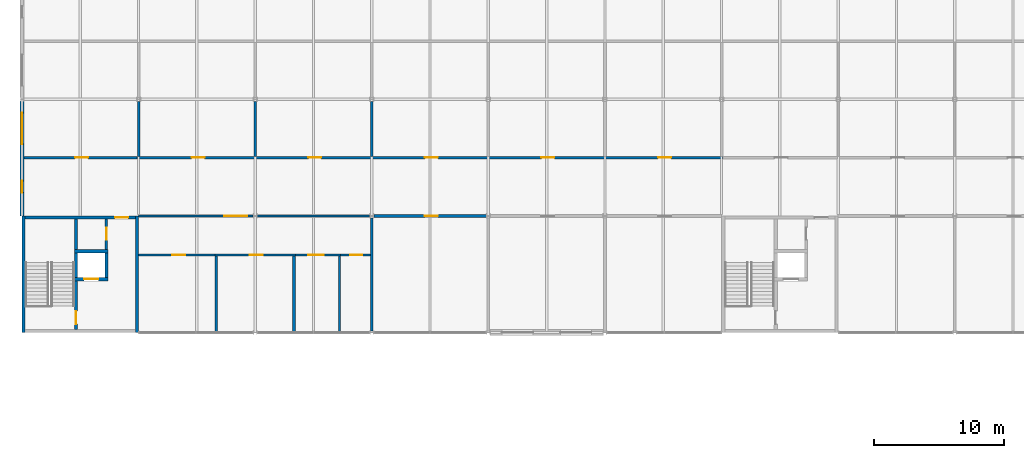
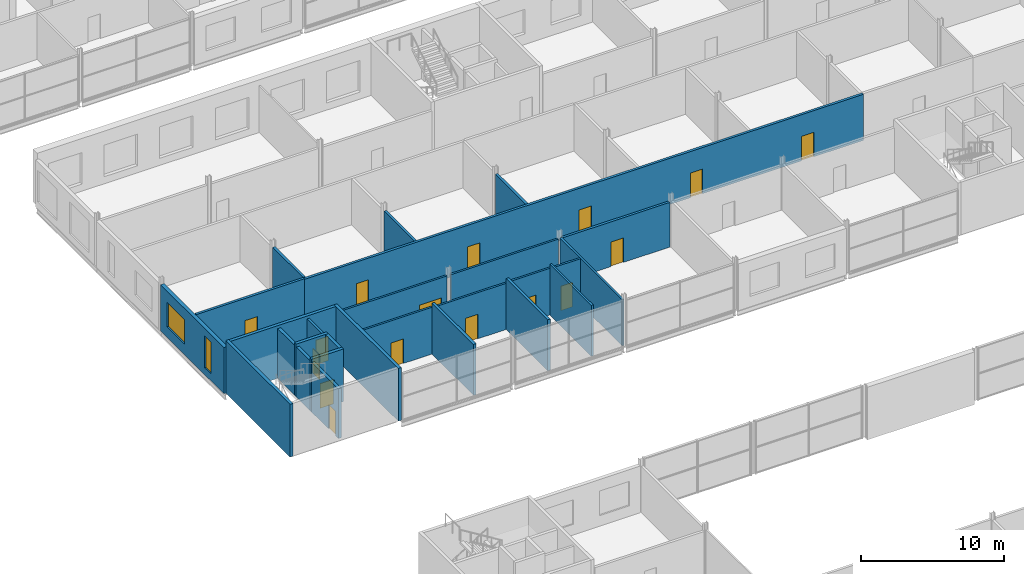
# One storey, part 67 of 97: 25 walls, 16 doors, 2 windows, 18 openings.
"""IFC4 building model written with IfcOpenShell, lengths in metres."""

from ifc_helpers import new_model, si_unit, direction, frame, frame_2d, origin, place, context, subcontext, project, spatial, rectangle, extrude, material, layer, layer_set, type_object, element, fill, save


model = new_model("IFC4")

# Units and contexts
model_context = context("Model", 3, precision=1e-05, world=origin(), true_north=direction((0.0, 1.0)))
body_context = subcontext(model_context, "Body", "Model", "MODEL_VIEW")
ifc_project = project(units=[si_unit("LENGTHUNIT", "METRE"), si_unit("AREAUNIT", "SQUARE_METRE"), si_unit("VOLUMEUNIT", "CUBIC_METRE"), si_unit("PLANEANGLEUNIT", "RADIAN"), si_unit("MASSUNIT", "GRAM", prefix="KILO")], contexts=[model_context])

# Site, building, storey
site_placement = place(None, origin())
site = spatial("IfcSite", under=ifc_project, at=site_placement, CompositionType="ELEMENT")
building_placement = place(site_placement, origin())
building = spatial("IfcBuilding", under=site, at=building_placement, Name="Corbel Yard City Hall", CompositionType="ELEMENT")
storey_placement = place(building_placement, frame((0.0, 0.0, 6.0)))
storey = spatial("IfcBuildingStorey", under=building, at=storey_placement, Name="L01", CompositionType="ELEMENT", Elevation=6.0)

# Walls
ifc_material_1 = material(Name="Concrete N50 (50 MPa)", Category="concrete")
ifc_layer_1 = layer(ifc_material_1, 0.25)
ifc_layer_set_1 = layer_set([ifc_layer_1], Name="Concrete N50 (50 MPa)")
wall_type_1 = type_object("IfcWallType", Name="Core cell wall 250", PredefinedType="SHEAR", material=ifc_layer_set_1)
for number, where, z_axis, x_axis, name in (
    (1, (0.125, 45.0, 0.0), (0.0, 0.0, 1.0), (0.0, 1.0, 0.0), "Core PC-M1 west wall"),
    (2, (8.875, 45.0, 0.0), (0.0, 0.0, 1.0), (0.0, 1.0, 0.0), "Core PC-M1 east wall"),
):
    element("IfcWall", number, at=place(storey_placement, frame(where, z_axis=z_axis, x_axis=x_axis)), inside=storey, type_object=wall_type_1, Name=name, PredefinedType="SHEAR", context=body_context, shape_type="SweptSolid", body=[
        extrude(rectangle(XDim=9.0, YDim=0.25, at=frame_2d((4.5, 0.0))), origin(), (0.0, 0.0, 1.0), 4.5),
    ])

# Wall, opening, door
wall_1_placement = place(storey_placement, frame((0.25, 53.875, 0.0), z_axis=(0.0, 0.0, 1.0), x_axis=(1.0, 0.0, 0.0)))
wall_1 = element("IfcWall", 3, at=wall_1_placement, inside=storey, type_object=wall_type_1, Name="Core PC-M1 north wall", PredefinedType="SHEAR", context=body_context, shape_type="SweptSolid", body=[
    extrude(rectangle(XDim=8.5, YDim=0.25, at=frame_2d((4.25, 0.0))), origin(), (0.0, 0.0, 1.0), 4.5),
])
opening_1_placement = place(wall_1_placement, frame((6.949951171875, 0.0, 0.0)))
opening_1 = element("IfcOpeningElement", 4, at=opening_1_placement, cuts=wall_1, Name="Opening L01-059", PredefinedType="OPENING", context=body_context, shape_type="SweptSolid", body=[
    extrude(rectangle(XDim=1.0, YDim=2.10009765625, at=frame_2d((0.5, 1.050048828125))), frame((0.0, 0.135009765625, 0.0), z_axis=(0.0, -1.0, 0.0), x_axis=(1.0, 0.0, 0.0)), (0.0, 0.0, 1.0), 0.27001953125),
])
ifc_material_2 = material(Name="Steel Grade G250", Category="steel")
door_type_1 = type_object("IfcDoorType", Name="FS1", OperationType="SINGLE_SWING_LEFT", PredefinedType="DOOR", material=ifc_material_2)
door_1_placement = place(opening_1_placement, frame((1.0, 0.0, 0.0), z_axis=(0.0, 0.0, 1.0), x_axis=(-1.0, 0.0, 0.0)))
door_1 = element("IfcDoor", 5, at=door_1_placement, inside=storey, type_object=door_type_1, Name="Door Lift Lobby", OperationType="SINGLE_SWING_RIGHT", OverallHeight=2.10009765625, OverallWidth=1.0, PredefinedType="DOOR", context=body_context, shape_type="SweptSolid", body=[
    extrude(rectangle(XDim=1.0, YDim=2.10009765625, at=frame_2d((0.5, 1.050048828125))), frame((0.0, 0.02490234375, 0.0), z_axis=(0.0, -1.0, 0.0), x_axis=(1.0, 0.0, 0.0)), (0.0, 0.0, 1.0), 0.050048828125),
])
fill(opening_1, door_1)

# Wall, openings, windows
ifc_material_3 = material(Name="Sandstone cladding", Category="masonry")
ifc_layer_2 = layer(ifc_material_3, 0.0400390625)
ifc_material_4 = material(Name="Air cavity", Category="air")
ifc_layer_3 = layer(ifc_material_4, 0.0400390625)
ifc_material_5 = material(Name="Concrete block", Category="concrete")
ifc_layer_4 = layer(ifc_material_5, 0.18994140625)
ifc_material_6 = material(Name="Gypsum plasterboard", Category="gypsum")
ifc_layer_5 = layer(ifc_material_6, 0.030029296875)
ifc_layer_set_2 = layer_set([ifc_layer_2, ifc_layer_3, ifc_layer_4, ifc_layer_5], Name="Concrete block")
wall_type_2 = type_object("IfcWallType", Name="EW1", PredefinedType="SOLIDWALL", material=ifc_layer_set_2)
wall_2_placement = place(storey_placement, frame((0.0, 54.0, 0.0), z_axis=(0.0, 0.0, 1.0), x_axis=(0.0, 1.0, 0.0)))
wall_2 = element("IfcWall", 6, at=wall_2_placement, inside=storey, type_object=wall_type_2, Name="External wall", PredefinedType="SOLIDWALL", context=body_context, shape_type="SweptSolid", body=[
    extrude(rectangle(XDim=8.8720703125, YDim=0.300048828125, at=frame_2d((4.43603515625, 0.0))), origin(), (0.0, 0.0, 1.0), 3.947021484375),
])
opening_2_placement = place(wall_2_placement, frame((1.800048828125, 0.0, 0.60009765625)))
opening_2 = element("IfcOpeningElement", 7, at=opening_2_placement, cuts=wall_2, Name="Opening WN14", PredefinedType="OPENING", context=body_context, shape_type="SweptSolid", body=[
    extrude(rectangle(XDim=0.89990234375, YDim=2.699951171875, at=frame_2d((0.449951171875, 1.35009765625))), frame((0.0, 0.159912109375, 0.0), z_axis=(0.0, -1.0, 0.0), x_axis=(1.0, 0.0, 0.0)), (0.0, 0.0, 1.0), 0.320068359375),
])
opening_3_placement = place(wall_2_placement, frame((5.550048828125, 0.0, 0.89990234375)))
opening_3 = element("IfcOpeningElement", 8, at=opening_3_placement, cuts=wall_2, Name="Opening WN8", PredefinedType="OPENING", context=body_context, shape_type="SweptSolid", body=[
    extrude(rectangle(XDim=2.39990234375, YDim=2.10009765625, at=frame_2d((1.199951171875, 1.050048828125))), frame((0.0, 0.159912109375, 0.0), z_axis=(0.0, -1.0, 0.0), x_axis=(1.0, 0.0, 0.0)), (0.0, 0.0, 1.0), 0.320068359375),
])
ifc_material_7 = material(Name="Aluminium frame, double glazed low-e glass", Category="aluminium")
window_type_1 = type_object("IfcWindowType", Name="WN14", PartitioningType="SINGLE_PANEL", PredefinedType="WINDOW", material=ifc_material_7)
window_1_placement = place(opening_2_placement, origin())
window_1 = element("IfcWindow", 9, at=window_1_placement, inside=storey, type_object=window_type_1, Name="Window WN14 L01", OverallHeight=2.699951171875, OverallWidth=0.89990234375, PartitioningType="SINGLE_PANEL", PredefinedType="WINDOW", context=body_context, shape_type="SweptSolid", body=[
    extrude(rectangle(XDim=0.89990234375, YDim=2.699951171875, at=frame_2d((0.449951171875, 1.35009765625))), frame((0.0, 0.030029296875, 0.0), z_axis=(0.0, -1.0, 0.0), x_axis=(1.0, 0.0, 0.0)), (0.0, 0.0, 1.0), 0.06005859375),
])
fill(opening_2, window_1)
window_type_2 = type_object("IfcWindowType", Name="WN8", PartitioningType="SINGLE_PANEL", PredefinedType="WINDOW", material=ifc_material_7)
window_2_placement = place(opening_3_placement, origin())
window_2 = element("IfcWindow", 10, at=window_2_placement, inside=storey, type_object=window_type_2, Name="Window WN8 L01", OverallHeight=2.10009765625, OverallWidth=2.39990234375, PartitioningType="SINGLE_PANEL", PredefinedType="WINDOW", context=body_context, shape_type="SweptSolid", body=[
    extrude(rectangle(XDim=2.39990234375, YDim=2.10009765625, at=frame_2d((1.199951171875, 1.050048828125))), frame((0.0, 0.030029296875, 0.0), z_axis=(0.0, -1.0, 0.0), x_axis=(1.0, 0.0, 0.0)), (0.0, 0.0, 1.0), 0.06005859375),
])
fill(opening_3, window_2)

# Wall, opening, door
ifc_material_8 = material(Name="Concrete N40 (40 MPa)", Category="concrete")
ifc_layer_6 = layer(ifc_material_8, 0.25)
ifc_layer_set_3 = layer_set([ifc_layer_6], Name="Concrete N40 (40 MPa)")
wall_type_3 = type_object("IfcWallType", Name="IW2", PredefinedType="SOLIDWALL", material=ifc_layer_set_3)
wall_3_placement = place(storey_placement, frame((4.175048828125, 45.25, 0.0), z_axis=(0.0, 0.0, 1.0), x_axis=(0.0, 1.0, 0.0)))
wall_3 = element("IfcWall", 11, at=wall_3_placement, inside=storey, type_object=wall_type_3, Name="Stair enclosure wall", PredefinedType="SOLIDWALL", context=body_context, shape_type="SweptSolid", body=[
    extrude(rectangle(XDim=8.5, YDim=0.25, at=frame_2d((4.25, 0.0))), origin(), (0.0, 0.0, 1.0), 4.25),
])
opening_4_placement = place(wall_3_placement, frame((0.39990234375, 0.0, 0.0)))
opening_4 = element("IfcOpeningElement", 12, at=opening_4_placement, cuts=wall_3, Name="Opening L01-058", PredefinedType="OPENING", context=body_context, shape_type="SweptSolid", body=[
    extrude(rectangle(XDim=1.0, YDim=2.10009765625, at=frame_2d((0.5, 1.050048828125))), frame((0.0, 0.135009765625, 0.0), z_axis=(0.0, -1.0, 0.0), x_axis=(1.0, 0.0, 0.0)), (0.0, 0.0, 1.0), 0.27001953125),
])
door_2_placement = place(opening_4_placement, origin())
door_2 = element("IfcDoor", 13, at=door_2_placement, inside=storey, type_object=door_type_1, Name="Door Exit Stair 8", OperationType="SINGLE_SWING_LEFT", OverallHeight=2.10009765625, OverallWidth=1.0, PredefinedType="DOOR", context=body_context, shape_type="SweptSolid", body=[
    extrude(rectangle(XDim=1.0, YDim=2.10009765625, at=frame_2d((0.5, 1.050048828125))), frame((0.0, 0.02490234375, 0.0), z_axis=(0.0, -1.0, 0.0), x_axis=(1.0, 0.0, 0.0)), (0.0, 0.0, 1.0), 0.050048828125),
])
fill(opening_4, door_2)

wall_4_placement = place(storey_placement, frame((4.050048828125, 49.125, 0.0), z_axis=(0.0, 0.0, 1.0), x_axis=(1.0, 0.0, 0.0)))
wall_4 = element("IfcWall", 14, at=wall_4_placement, inside=storey, type_object=wall_type_3, Name="Lift LP8 shaft wall", PredefinedType="SOLIDWALL", context=body_context, shape_type="SweptSolid", body=[
    extrude(rectangle(XDim=2.599853515625, YDim=0.25, at=frame_2d((1.2998046875, 0.0))), origin(), (0.0, 0.0, 1.0), 4.5),
])
opening_5_placement = place(wall_4_placement, frame((0.75, 0.0, 0.0)))
opening_5 = element("IfcOpeningElement", 15, at=opening_5_placement, cuts=wall_4, Name="Opening L01-050", PredefinedType="OPENING", context=body_context, shape_type="SweptSolid", body=[
    extrude(rectangle(XDim=1.10009765625, YDim=2.10009765625, at=frame_2d((0.550048828125, 1.050048828125))), frame((0.0, 0.135009765625, 0.0), z_axis=(0.0, -1.0, 0.0), x_axis=(1.0, 0.0, 0.0)), (0.0, 0.0, 1.0), 0.27001953125),
])
ifc_material_9 = material(Name="Stainless steel Grade 316", Category="steel")
door_type_2 = type_object("IfcDoorType", Name="LD1", OperationType="DOUBLE_DOOR_SLIDING", PredefinedType="DOOR", material=ifc_material_9)
door_3_placement = place(opening_5_placement, origin())
door_3 = element("IfcDoor", 16, at=door_3_placement, inside=storey, type_object=door_type_2, Name="Lift LP8 landing door", OperationType="DOUBLE_DOOR_SLIDING", OverallHeight=2.10009765625, OverallWidth=1.10009765625, PredefinedType="DOOR", context=body_context, shape_type="SweptSolid", body=[
    extrude(rectangle(XDim=1.10009765625, YDim=2.10009765625, at=frame_2d((0.550048828125, 1.050048828125))), frame((0.0, 0.02490234375, 0.0), z_axis=(0.0, -1.0, 0.0), x_axis=(1.0, 0.0, 0.0)), (0.0, 0.0, 1.0), 0.050048828125),
])
fill(opening_5, door_3)

# Walls
wall_5_placement = place(storey_placement, frame((4.050048828125, 51.27490234375, 0.0), z_axis=(0.0, 0.0, 1.0), x_axis=(1.0, 0.0, 0.0)))
element("IfcWall", 17, at=wall_5_placement, inside=storey, type_object=wall_type_3, Name="Lift LP8 shaft wall", PredefinedType="SOLIDWALL", context=body_context, shape_type="SweptSolid", body=[
    extrude(rectangle(XDim=2.599853515625, YDim=0.25, at=frame_2d((1.2998046875, 0.0))), origin(), (0.0, 0.0, 1.0), 4.5),
])
wall_6_placement = place(storey_placement, frame((6.52490234375, 49.25, 0.0), z_axis=(0.0, 0.0, 1.0), x_axis=(0.0, 1.0, 0.0)))
element("IfcWall", 18, at=wall_6_placement, inside=storey, type_object=wall_type_3, Name="Lift LP8 shaft wall", PredefinedType="SOLIDWALL", context=body_context, shape_type="SweptSolid", body=[
    extrude(rectangle(XDim=1.89990234375, YDim=0.25, at=frame_2d((0.949951171875, 0.0))), origin(), (0.0, 0.0, 1.0), 4.5),
])

# Wall, opening, door
ifc_layer_7 = layer(ifc_material_6, 0.031982421875)
ifc_material_10 = material(Name="Steel Grade G550 (550 MPa yield)", Category="steel")
ifc_layer_8 = layer(ifc_material_10, 0.135986328125)
ifc_layer_9 = layer(ifc_material_6, 0.031982421875)
ifc_layer_set_4 = layer_set([ifc_layer_7, ifc_layer_8, ifc_layer_9], Name="Steel Grade G550 (550 MPa yield)")
wall_type_4 = type_object("IfcWallType", Name="PT2", PredefinedType="PARTITIONING", material=ifc_layer_set_4)
wall_7_placement = place(storey_placement, frame((27.157470703125, 54.0, 0.0), z_axis=(0.0, 0.0, 1.0), x_axis=(1.0, 0.0, 0.0)))
wall_7 = element("IfcWall", 19, at=wall_7_placement, inside=storey, type_object=wall_type_4, Name="Acoustic wall", PredefinedType="PARTITIONING", context=body_context, shape_type="SweptSolid", body=[
    extrude(rectangle(XDim=8.68505859375, YDim=0.199951171875, at=frame_2d((4.342529296875, 0.0))), origin(), (0.0, 0.0, 1.0), 3.822021484375),
])
opening_6_placement = place(wall_7_placement, frame((3.9423828125, 0.0, 0.0)))
opening_6 = element("IfcOpeningElement", 20, at=opening_6_placement, cuts=wall_7, Name="Opening L01-072", PredefinedType="OPENING", context=body_context, shape_type="SweptSolid", body=[
    extrude(rectangle(XDim=1.0, YDim=2.10009765625, at=frame_2d((0.5, 1.050048828125))), frame((0.0, 0.10986328125, 0.0), z_axis=(0.0, -1.0, 0.0), x_axis=(1.0, 0.0, 0.0)), (0.0, 0.0, 1.0), 0.219970703125),
])
ifc_material_11 = material(Name="Timber", Category="wood")
door_type_3 = type_object("IfcDoorType", Name="D1", OperationType="SINGLE_SWING_LEFT", PredefinedType="DOOR", material=ifc_material_11)
door_4_placement = place(opening_6_placement, frame((1.0, 0.0, 0.0), z_axis=(0.0, 0.0, 1.0), x_axis=(-1.0, 0.0, 0.0)))
door_4 = element("IfcDoor", 21, at=door_4_placement, inside=storey, type_object=door_type_3, Name="Door Committee Room 8", OperationType="SINGLE_SWING_LEFT", OverallHeight=2.10009765625, OverallWidth=1.0, PredefinedType="DOOR", context=body_context, shape_type="SweptSolid", body=[
    extrude(rectangle(XDim=1.0, YDim=2.10009765625, at=frame_2d((0.5, 1.050048828125))), frame((0.0, 0.02490234375, 0.0), z_axis=(0.0, -1.0, 0.0), x_axis=(1.0, 0.0, 0.0)), (0.0, 0.0, 1.0), 0.050048828125),
])
fill(opening_6, door_4)

wall_8_placement = place(storey_placement, frame((0.14990234375, 58.5, 0.0), z_axis=(0.0, 0.0, 1.0), x_axis=(1.0, 0.0, 0.0)))
wall_8 = element("IfcWall", 22, at=wall_8_placement, inside=storey, type_object=wall_type_4, Name="Acoustic wall", PredefinedType="PARTITIONING", context=body_context, shape_type="SweptSolid", body=[
    extrude(rectangle(XDim=8.75, YDim=0.199951171875, at=frame_2d((4.375, 0.0))), origin(), (0.0, 0.0, 1.0), 3.993896484375),
])
opening_7_placement = place(wall_8_placement, frame((3.949951171875, 0.0, 0.0)))
opening_7 = element("IfcOpeningElement", 23, at=opening_7_placement, cuts=wall_8, Name="Opening L01-077", PredefinedType="OPENING", context=body_context, shape_type="SweptSolid", body=[
    extrude(rectangle(XDim=1.0, YDim=2.10009765625, at=frame_2d((0.5, 1.050048828125))), frame((0.0, 0.10986328125, 0.0), z_axis=(0.0, -1.0, 0.0), x_axis=(1.0, 0.0, 0.0)), (0.0, 0.0, 1.0), 0.219970703125),
])
door_5_placement = place(opening_7_placement, origin())
door_5 = element("IfcDoor", 24, at=door_5_placement, inside=storey, type_object=door_type_3, Name="Door Briefing Room 3", OperationType="SINGLE_SWING_RIGHT", OverallHeight=2.10009765625, OverallWidth=1.0, PredefinedType="DOOR", context=body_context, shape_type="SweptSolid", body=[
    extrude(rectangle(XDim=1.0, YDim=2.10009765625, at=frame_2d((0.5, 1.050048828125))), frame((0.0, 0.02490234375, 0.0), z_axis=(0.0, -1.0, 0.0), x_axis=(1.0, 0.0, 0.0)), (0.0, 0.0, 1.0), 0.050048828125),
])
fill(opening_7, door_5)

# Wall, openings, doors
wall_9_placement = place(storey_placement, frame((8.89990234375, 58.5, 0.0), z_axis=(0.0, 0.0, 1.0), x_axis=(1.0, 0.0, 0.0)))
wall_9 = element("IfcWall", 25, at=wall_9_placement, inside=storey, type_object=wall_type_4, Name="Acoustic wall", PredefinedType="PARTITIONING", context=body_context, shape_type="SweptSolid", body=[
    extrude(rectangle(XDim=45.2001953125, YDim=0.199951171875, at=frame_2d((22.60009765625, 0.0))), origin(), (0.0, 0.0, 1.0), 3.947021484375),
])
opening_8_placement = place(wall_9_placement, frame((4.199951171875, 0.0, 0.0)))
opening_8 = element("IfcOpeningElement", 26, at=opening_8_placement, cuts=wall_9, Name="Opening L01-078", PredefinedType="OPENING", context=body_context, shape_type="SweptSolid", body=[
    extrude(rectangle(XDim=1.0, YDim=2.10009765625, at=frame_2d((0.5, 1.050048828125))), frame((0.0, 0.10986328125, 0.0), z_axis=(0.0, -1.0, 0.0), x_axis=(1.0, 0.0, 0.0)), (0.0, 0.0, 1.0), 0.219970703125),
])
opening_9_placement = place(wall_9_placement, frame((13.199951171875, 0.0, 0.0)))
opening_9 = element("IfcOpeningElement", 27, at=opening_9_placement, cuts=wall_9, Name="Opening L01-079", PredefinedType="OPENING", context=body_context, shape_type="SweptSolid", body=[
    extrude(rectangle(XDim=1.0, YDim=2.10009765625, at=frame_2d((0.5, 1.050048828125))), frame((0.0, 0.10986328125, 0.0), z_axis=(0.0, -1.0, 0.0), x_axis=(1.0, 0.0, 0.0)), (0.0, 0.0, 1.0), 0.219970703125),
])
opening_10_placement = place(wall_9_placement, frame((22.199951171875, 0.0, 0.0)))
opening_10 = element("IfcOpeningElement", 28, at=opening_10_placement, cuts=wall_9, Name="Opening L01-080", PredefinedType="OPENING", context=body_context, shape_type="SweptSolid", body=[
    extrude(rectangle(XDim=1.0, YDim=2.10009765625, at=frame_2d((0.5, 1.050048828125))), frame((0.0, 0.10986328125, 0.0), z_axis=(0.0, -1.0, 0.0), x_axis=(1.0, 0.0, 0.0)), (0.0, 0.0, 1.0), 0.219970703125),
])
opening_11_placement = place(wall_9_placement, frame((31.199951171875, 0.0, 0.0)))
opening_11 = element("IfcOpeningElement", 29, at=opening_11_placement, cuts=wall_9, Name="Opening L01-081", PredefinedType="OPENING", context=body_context, shape_type="SweptSolid", body=[
    extrude(rectangle(XDim=1.0, YDim=2.10009765625, at=frame_2d((0.5, 1.050048828125))), frame((0.0, 0.10986328125, 0.0), z_axis=(0.0, -1.0, 0.0), x_axis=(1.0, 0.0, 0.0)), (0.0, 0.0, 1.0), 0.219970703125),
])
opening_12_placement = place(wall_9_placement, frame((40.199951171875, 0.0, 0.0)))
opening_12 = element("IfcOpeningElement", 30, at=opening_12_placement, cuts=wall_9, Name="Opening L01-082", PredefinedType="OPENING", context=body_context, shape_type="SweptSolid", body=[
    extrude(rectangle(XDim=1.0, YDim=2.10009765625, at=frame_2d((0.5, 1.050048828125))), frame((0.0, 0.10986328125, 0.0), z_axis=(0.0, -1.0, 0.0), x_axis=(1.0, 0.0, 0.0)), (0.0, 0.0, 1.0), 0.219970703125),
])
door_6_placement = place(opening_8_placement, origin())
door_6 = element("IfcDoor", 31, at=door_6_placement, inside=storey, type_object=door_type_3, Name="Door Briefing Room 4", OperationType="SINGLE_SWING_RIGHT", OverallHeight=2.10009765625, OverallWidth=1.0, PredefinedType="DOOR", context=body_context, shape_type="SweptSolid", body=[
    extrude(rectangle(XDim=1.0, YDim=2.10009765625, at=frame_2d((0.5, 1.050048828125))), frame((0.0, 0.02490234375, 0.0), z_axis=(0.0, -1.0, 0.0), x_axis=(1.0, 0.0, 0.0)), (0.0, 0.0, 1.0), 0.050048828125),
])
fill(opening_8, door_6)
door_7_placement = place(opening_9_placement, origin())
door_7 = element("IfcDoor", 32, at=door_7_placement, inside=storey, type_object=door_type_3, Name="Door Briefing Room 5", OperationType="SINGLE_SWING_RIGHT", OverallHeight=2.10009765625, OverallWidth=1.0, PredefinedType="DOOR", context=body_context, shape_type="SweptSolid", body=[
    extrude(rectangle(XDim=1.0, YDim=2.10009765625, at=frame_2d((0.5, 1.050048828125))), frame((0.0, 0.02490234375, 0.0), z_axis=(0.0, -1.0, 0.0), x_axis=(1.0, 0.0, 0.0)), (0.0, 0.0, 1.0), 0.050048828125),
])
fill(opening_9, door_7)
door_8_placement = place(opening_10_placement, origin())
door_8 = element("IfcDoor", 33, at=door_8_placement, inside=storey, type_object=door_type_3, Name="Door Briefing Room 6", OperationType="SINGLE_SWING_RIGHT", OverallHeight=2.10009765625, OverallWidth=1.0, PredefinedType="DOOR", context=body_context, shape_type="SweptSolid", body=[
    extrude(rectangle(XDim=1.0, YDim=2.10009765625, at=frame_2d((0.5, 1.050048828125))), frame((0.0, 0.02490234375, 0.0), z_axis=(0.0, -1.0, 0.0), x_axis=(1.0, 0.0, 0.0)), (0.0, 0.0, 1.0), 0.050048828125),
])
fill(opening_10, door_8)
door_9_placement = place(opening_11_placement, origin())
door_9 = element("IfcDoor", 34, at=door_9_placement, inside=storey, type_object=door_type_3, Name="Door Briefing Room 7", OperationType="SINGLE_SWING_RIGHT", OverallHeight=2.10009765625, OverallWidth=1.0, PredefinedType="DOOR", context=body_context, shape_type="SweptSolid", body=[
    extrude(rectangle(XDim=1.0, YDim=2.10009765625, at=frame_2d((0.5, 1.050048828125))), frame((0.0, 0.02490234375, 0.0), z_axis=(0.0, -1.0, 0.0), x_axis=(1.0, 0.0, 0.0)), (0.0, 0.0, 1.0), 0.050048828125),
])
fill(opening_11, door_9)
door_10_placement = place(opening_12_placement, origin())
door_10 = element("IfcDoor", 35, at=door_10_placement, inside=storey, type_object=door_type_3, Name="Door Briefing Room 8", OperationType="SINGLE_SWING_RIGHT", OverallHeight=2.10009765625, OverallWidth=1.0, PredefinedType="DOOR", context=body_context, shape_type="SweptSolid", body=[
    extrude(rectangle(XDim=1.0, YDim=2.10009765625, at=frame_2d((0.5, 1.050048828125))), frame((0.0, 0.02490234375, 0.0), z_axis=(0.0, -1.0, 0.0), x_axis=(1.0, 0.0, 0.0)), (0.0, 0.0, 1.0), 0.050048828125),
])
fill(opening_12, door_10)

# Walls
wall_10_placement = place(storey_placement, frame((9.0, 58.60009765625, 0.0), z_axis=(0.0, 0.0, 1.0), x_axis=(0.0, 1.0, 0.0)))
element("IfcWall", 36, at=wall_10_placement, inside=storey, type_object=wall_type_4, Name="Acoustic wall", PredefinedType="PARTITIONING", context=body_context, shape_type="SweptSolid", body=[
    extrude(rectangle(XDim=4.242431640625, YDim=0.199951171875, at=frame_2d((2.12109375, 0.0))), origin(), (0.0, 0.0, 1.0), 3.993896484375),
])
for number, where, z_axis, x_axis, name in (
    (37, (18.0, 58.60009765625, 0.0), (0.0, 0.0, 1.0), (0.0, 1.0, 0.0), "Acoustic wall"),
    (38, (27.0, 58.60009765625, 0.0), (0.0, 0.0, 1.0), (0.0, 1.0, 0.0), "Acoustic wall"),
):
    element("IfcWall", number, at=place(storey_placement, frame(where, z_axis=z_axis, x_axis=x_axis)), inside=storey, type_object=wall_type_4, Name=name, PredefinedType="PARTITIONING", context=body_context, shape_type="SweptSolid", body=[
        extrude(rectangle(XDim=4.242431640625, YDim=0.199951171875, at=frame_2d((2.12109375, 0.0))), origin(), (0.0, 0.0, 1.0), 3.947021484375),
    ])

# Wall, opening, door
ifc_layer_10 = layer(ifc_material_6, 0.031982421875)
ifc_layer_11 = layer(ifc_material_10, 0.095947265625)
ifc_layer_12 = layer(ifc_material_6, 0.031982421875)
ifc_layer_set_5 = layer_set([ifc_layer_10, ifc_layer_11, ifc_layer_12], Name="Steel Grade G550 (550 MPa yield)")
wall_type_5 = type_object("IfcWallType", Name="PT3", PredefinedType="PARTITIONING", material=ifc_layer_set_5)
wall_11_placement = place(storey_placement, frame((9.0, 51.0, 0.0), z_axis=(0.0, 0.0, 1.0), x_axis=(1.0, 0.0, 0.0)))
wall_11 = element("IfcWall", 39, at=wall_11_placement, inside=storey, type_object=wall_type_5, Name="Fire-resisting wall", PredefinedType="PARTITIONING", context=body_context, shape_type="SweptSolid", body=[
    extrude(rectangle(XDim=5.889892578125, YDim=0.159912109375, at=frame_2d((2.94482421875, 0.0))), origin(), (0.0, 0.0, 1.0), 3.993896484375),
])
opening_13_placement = place(wall_11_placement, frame((2.60009765625, 0.0, 0.0)))
opening_13 = element("IfcOpeningElement", 40, at=opening_13_placement, cuts=wall_11, Name="Opening L01-068", PredefinedType="OPENING", context=body_context, shape_type="SweptSolid", body=[
    extrude(rectangle(XDim=1.0, YDim=2.10009765625, at=frame_2d((0.5, 1.050048828125))), frame((0.0, 0.08984375, 0.0), z_axis=(0.0, -1.0, 0.0), x_axis=(1.0, 0.0, 0.0)), (0.0, 0.0, 1.0), 0.179931640625),
])
door_type_4 = type_object("IfcDoorType", Name="FD1", OperationType="SINGLE_SWING_LEFT", PredefinedType="DOOR", material=ifc_material_2)
door_11_placement = place(opening_13_placement, frame((1.0, 0.0, 0.0), z_axis=(0.0, 0.0, 1.0), x_axis=(-1.0, 0.0, 0.0)))
door_11 = element("IfcDoor", 41, at=door_11_placement, inside=storey, type_object=door_type_4, Name="Door Women's WC", OperationType="SINGLE_SWING_LEFT", OverallHeight=2.10009765625, OverallWidth=1.0, PredefinedType="DOOR", context=body_context, shape_type="SweptSolid", body=[
    extrude(rectangle(XDim=1.0, YDim=2.10009765625, at=frame_2d((0.5, 1.050048828125))), frame((0.0, 0.02490234375, 0.0), z_axis=(0.0, -1.0, 0.0), x_axis=(1.0, 0.0, 0.0)), (0.0, 0.0, 1.0), 0.050048828125),
])
fill(opening_13, door_11)

wall_12_placement = place(storey_placement, frame((14.889892578125, 51.0, 0.0), z_axis=(0.0, 0.0, 1.0), x_axis=(1.0, 0.0, 0.0)))
wall_12 = element("IfcWall", 42, at=wall_12_placement, inside=storey, type_object=wall_type_5, Name="Fire-resisting wall", PredefinedType="PARTITIONING", context=body_context, shape_type="SweptSolid", body=[
    extrude(rectangle(XDim=6.22021484375, YDim=0.159912109375, at=frame_2d((3.110107421875, 0.0))), origin(), (0.0, 0.0, 1.0), 3.947021484375),
])
opening_14_placement = place(wall_12_placement, frame((2.7099609375, 0.0, 0.0)))
opening_14 = element("IfcOpeningElement", 43, at=opening_14_placement, cuts=wall_12, Name="Opening L01-069", PredefinedType="OPENING", context=body_context, shape_type="SweptSolid", body=[
    extrude(rectangle(XDim=1.0, YDim=2.10009765625, at=frame_2d((0.5, 1.050048828125))), frame((0.0, 0.08984375, 0.0), z_axis=(0.0, -1.0, 0.0), x_axis=(1.0, 0.0, 0.0)), (0.0, 0.0, 1.0), 0.179931640625),
])
door_12_placement = place(opening_14_placement, frame((1.0, 0.0, 0.0), z_axis=(0.0, 0.0, 1.0), x_axis=(-1.0, 0.0, 0.0)))
door_12 = element("IfcDoor", 44, at=door_12_placement, inside=storey, type_object=door_type_4, Name="Door Men's WC", OperationType="SINGLE_SWING_LEFT", OverallHeight=2.10009765625, OverallWidth=1.0, PredefinedType="DOOR", context=body_context, shape_type="SweptSolid", body=[
    extrude(rectangle(XDim=1.0, YDim=2.10009765625, at=frame_2d((0.5, 1.050048828125))), frame((0.0, 0.02490234375, 0.0), z_axis=(0.0, -1.0, 0.0), x_axis=(1.0, 0.0, 0.0)), (0.0, 0.0, 1.0), 0.050048828125),
])
fill(opening_14, door_12)

wall_13_placement = place(storey_placement, frame((21.110107421875, 51.0, 0.0), z_axis=(0.0, 0.0, 1.0), x_axis=(1.0, 0.0, 0.0)))
wall_13 = element("IfcWall", 45, at=wall_13_placement, inside=storey, type_object=wall_type_5, Name="Fire-resisting wall", PredefinedType="PARTITIONING", context=body_context, shape_type="SweptSolid", body=[
    extrude(rectangle(XDim=3.469970703125, YDim=0.159912109375, at=frame_2d((1.73486328125, 0.0))), origin(), (0.0, 0.0, 1.0), 3.993896484375),
])
opening_15_placement = place(wall_13_placement, frame((0.989990234375, 0.0, 0.0)))
opening_15 = element("IfcOpeningElement", 46, at=opening_15_placement, cuts=wall_13, Name="Opening L01-070", PredefinedType="OPENING", context=body_context, shape_type="SweptSolid", body=[
    extrude(rectangle(XDim=1.199951171875, YDim=2.10009765625, at=frame_2d((0.60009765625, 1.050048828125))), frame((0.0, 0.08984375, 0.0), z_axis=(0.0, -1.0, 0.0), x_axis=(1.0, 0.0, 0.0)), (0.0, 0.0, 1.0), 0.179931640625),
])
door_type_5 = type_object("IfcDoorType", Name="FD7", OperationType="SINGLE_SWING_LEFT", PredefinedType="DOOR", material=ifc_material_2)
door_13_placement = place(opening_15_placement, frame((1.199951171875, 0.0, 0.0), z_axis=(0.0, 0.0, 1.0), x_axis=(-1.0, 0.0, 0.0)))
door_13 = element("IfcDoor", 47, at=door_13_placement, inside=storey, type_object=door_type_5, Name="Door Accessible WC", OperationType="SINGLE_SWING_RIGHT", OverallHeight=2.10009765625, OverallWidth=1.199951171875, PredefinedType="DOOR", context=body_context, shape_type="SweptSolid", body=[
    extrude(rectangle(XDim=1.199951171875, YDim=2.10009765625, at=frame_2d((0.60009765625, 1.050048828125))), frame((0.0, 0.02490234375, 0.0), z_axis=(0.0, -1.0, 0.0), x_axis=(1.0, 0.0, 0.0)), (0.0, 0.0, 1.0), 0.050048828125),
])
fill(opening_15, door_13)

wall_14_placement = place(storey_placement, frame((24.580078125, 51.0, 0.0), z_axis=(0.0, 0.0, 1.0), x_axis=(1.0, 0.0, 0.0)))
wall_14 = element("IfcWall", 48, at=wall_14_placement, inside=storey, type_object=wall_type_5, Name="Fire-resisting wall", PredefinedType="PARTITIONING", context=body_context, shape_type="SweptSolid", body=[
    extrude(rectangle(XDim=2.33984375, YDim=0.159912109375, at=frame_2d((1.169921875, 0.0))), origin(), (0.0, 0.0, 1.0), 3.947021484375),
])
opening_16_placement = place(wall_14_placement, frame((0.77001953125, 0.0, 0.0)))
opening_16 = element("IfcOpeningElement", 49, at=opening_16_placement, cuts=wall_14, Name="Opening L01-071", PredefinedType="OPENING", context=body_context, shape_type="SweptSolid", body=[
    extrude(rectangle(XDim=0.919921875, YDim=2.10009765625, at=frame_2d((0.4599609375, 1.050048828125))), frame((0.0, 0.08984375, 0.0), z_axis=(0.0, -1.0, 0.0), x_axis=(1.0, 0.0, 0.0)), (0.0, 0.0, 1.0), 0.179931640625),
])
door_type_6 = type_object("IfcDoorType", Name="FD5", OperationType="SINGLE_SWING_RIGHT", PredefinedType="DOOR", material=ifc_material_2)
door_14_placement = place(opening_16_placement, frame((0.919921875, 0.0, 0.0), z_axis=(0.0, 0.0, 1.0), x_axis=(-1.0, 0.0, 0.0)))
door_14 = element("IfcDoor", 50, at=door_14_placement, inside=storey, type_object=door_type_6, Name="Door Cleaners' Store", OperationType="SINGLE_SWING_LEFT", OverallHeight=2.10009765625, OverallWidth=0.919921875, PredefinedType="DOOR", context=body_context, shape_type="SweptSolid", body=[
    extrude(rectangle(XDim=0.919921875, YDim=2.10009765625, at=frame_2d((0.4599609375, 1.050048828125))), frame((0.0, 0.02490234375, 0.0), z_axis=(0.0, -1.0, 0.0), x_axis=(1.0, 0.0, 0.0)), (0.0, 0.0, 1.0), 0.050048828125),
])
fill(opening_16, door_14)

wall_15_placement = place(storey_placement, frame((9.0, 54.0, 0.0), z_axis=(0.0, 0.0, 1.0), x_axis=(1.0, 0.0, 0.0)))
wall_15 = element("IfcWall", 51, at=wall_15_placement, inside=storey, type_object=wall_type_5, Name="Fire-resisting wall", PredefinedType="PARTITIONING", context=body_context, shape_type="SweptSolid", body=[
    extrude(rectangle(XDim=8.842529296875, YDim=0.159912109375, at=frame_2d((4.42138671875, 0.0))), origin(), (0.0, 0.0, 1.0), 3.822021484375),
])
opening_17_placement = place(wall_15_placement, frame((6.60009765625, 0.0, 0.0)))
opening_17 = element("IfcOpeningElement", 52, at=opening_17_placement, cuts=wall_15, Name="Opening L01-067", PredefinedType="OPENING", context=body_context, shape_type="SweptSolid", body=[
    extrude(rectangle(XDim=1.800048828125, YDim=2.10009765625, at=frame_2d((0.89990234375, 1.050048828125))), frame((0.0, 0.08984375, 0.0), z_axis=(0.0, -1.0, 0.0), x_axis=(1.0, 0.0, 0.0)), (0.0, 0.0, 1.0), 0.179931640625),
])
door_type_7 = type_object("IfcDoorType", Name="FD3", OperationType="DOUBLE_DOOR_SINGLE_SWING", PredefinedType="DOOR", material=ifc_material_2)
door_15_placement = place(opening_17_placement, origin())
door_15 = element("IfcDoor", 53, at=door_15_placement, inside=storey, type_object=door_type_7, Name="Door WC Lobby", OperationType="DOUBLE_DOOR_SINGLE_SWING", OverallHeight=2.10009765625, OverallWidth=1.800048828125, PredefinedType="DOOR", context=body_context, shape_type="SweptSolid", body=[
    extrude(rectangle(XDim=1.800048828125, YDim=2.10009765625, at=frame_2d((0.89990234375, 1.050048828125))), frame((0.0, 0.02490234375, 0.0), z_axis=(0.0, -1.0, 0.0), x_axis=(1.0, 0.0, 0.0)), (0.0, 0.0, 1.0), 0.050048828125),
])
fill(opening_17, door_15)

# Walls
wall_16_placement = place(storey_placement, frame((18.157470703125, 54.0, 0.0), z_axis=(0.0, 0.0, 1.0), x_axis=(1.0, 0.0, 0.0)))
element("IfcWall", 54, at=wall_16_placement, inside=storey, type_object=wall_type_5, Name="Fire-resisting wall", PredefinedType="PARTITIONING", context=body_context, shape_type="SweptSolid", body=[
    extrude(rectangle(XDim=8.68505859375, YDim=0.159912109375, at=frame_2d((4.342529296875, 0.0))), origin(), (0.0, 0.0, 1.0), 3.822021484375),
])
wall_17_placement = place(storey_placement, frame((24.5, 45.10009765625, 0.0), z_axis=(0.0, 0.0, 1.0), x_axis=(0.0, 1.0, 0.0)))
element("IfcWall", 55, at=wall_17_placement, inside=storey, type_object=wall_type_5, Name="Fire-resisting wall", PredefinedType="PARTITIONING", context=body_context, shape_type="SweptSolid", body=[
    extrude(rectangle(XDim=5.81982421875, YDim=0.159912109375, at=frame_2d((2.909912109375, 0.0))), origin(), (0.0, 0.0, 1.0), 4.35009765625),
])
wall_18_placement = place(storey_placement, frame((27.0, 45.1298828125, 0.0), z_axis=(0.0, 0.0, 1.0), x_axis=(0.0, 1.0, 0.0)))
element("IfcWall", 56, at=wall_18_placement, inside=storey, type_object=wall_type_5, Name="Fire-resisting wall", PredefinedType="PARTITIONING", context=body_context, shape_type="SweptSolid", body=[
    extrude(rectangle(XDim=8.712646484375, YDim=0.159912109375, at=frame_2d((4.3564453125, 0.0))), origin(), (0.0, 0.0, 1.0), 3.947021484375),
])

# Wall, opening, door
ifc_material_12 = material(Name="Concrete block", Category="concrete")
ifc_layer_13 = layer(ifc_material_12, 0.18994140625)
ifc_layer_set_6 = layer_set([ifc_layer_13], Name="Concrete block")
wall_type_6 = type_object("IfcWallType", Name="PT4", PredefinedType="PARTITIONING", material=ifc_layer_set_6)
wall_19_placement = place(storey_placement, frame((6.52490234375, 51.39990234375, 0.0), z_axis=(0.0, 0.0, 1.0), x_axis=(0.0, 1.0, 0.0)))
wall_19 = element("IfcWall", 57, at=wall_19_placement, inside=storey, type_object=wall_type_6, Name="Fire-resisting block wall", PredefinedType="PARTITIONING", context=body_context, shape_type="SweptSolid", body=[
    extrude(rectangle(XDim=2.35009765625, YDim=0.18994140625, at=frame_2d((1.175048828125, 0.0))), origin(), (0.0, 0.0, 1.0), 4.25),
])
opening_18_placement = place(wall_19_placement, frame((0.777587890625, 0.0, 0.0)))
opening_18 = element("IfcOpeningElement", 58, at=opening_18_placement, cuts=wall_19, Name="Opening L01-060", PredefinedType="OPENING", context=body_context, shape_type="SweptSolid", body=[
    extrude(rectangle(XDim=0.919921875, YDim=2.10009765625, at=frame_2d((0.4599609375, 1.050048828125))), frame((0.0, 0.10498046875, 0.0), z_axis=(0.0, -1.0, 0.0), x_axis=(1.0, 0.0, 0.0)), (0.0, 0.0, 1.0), 0.2099609375),
])
door_type_8 = type_object("IfcDoorType", Name="FS5", OperationType="SINGLE_SWING_RIGHT", PredefinedType="DOOR", material=ifc_material_2)
door_16_placement = place(opening_18_placement, origin())
door_16 = element("IfcDoor", 59, at=door_16_placement, inside=storey, type_object=door_type_8, Name="Door Service Riser", OperationType="SINGLE_SWING_RIGHT", OverallHeight=2.10009765625, OverallWidth=0.919921875, PredefinedType="DOOR", context=body_context, shape_type="SweptSolid", body=[
    extrude(rectangle(XDim=0.919921875, YDim=2.10009765625, at=frame_2d((0.4599609375, 1.050048828125))), frame((0.0, 0.02490234375, 0.0), z_axis=(0.0, -1.0, 0.0), x_axis=(1.0, 0.0, 0.0)), (0.0, 0.0, 1.0), 0.050048828125),
])
fill(opening_18, door_16)

# Walls
ifc_layer_14 = layer(ifc_material_6, 0.031982421875)
ifc_layer_15 = layer(ifc_material_10, 0.156005859375)
ifc_layer_16 = layer(ifc_material_6, 0.031982421875)
ifc_layer_set_7 = layer_set([ifc_layer_14, ifc_layer_15, ifc_layer_16], Name="Steel Grade G550 (550 MPa yield)")
wall_type_7 = type_object("IfcWallType", Name="PT5", PredefinedType="PLUMBINGWALL", material=ifc_layer_set_7)
for number, where, z_axis, x_axis, name in (
    (60, (15.0, 45.10009765625, 0.0), (0.0, 0.0, 1.0), (0.0, 1.0, 0.0), "Wet wall"),
    (61, (21.0, 45.10009765625, 0.0), (0.0, 0.0, 1.0), (0.0, 1.0, 0.0), "Wet wall"),
):
    element("IfcWall", number, at=place(storey_placement, frame(where, z_axis=z_axis, x_axis=x_axis)), inside=storey, type_object=wall_type_7, Name=name, PredefinedType="PLUMBINGWALL", context=body_context, shape_type="SweptSolid", body=[
        extrude(rectangle(XDim=5.81982421875, YDim=0.219970703125, at=frame_2d((2.909912109375, 0.0))), origin(), (0.0, 0.0, 1.0), 4.35009765625),
    ])

save(model, "model.ifc")
